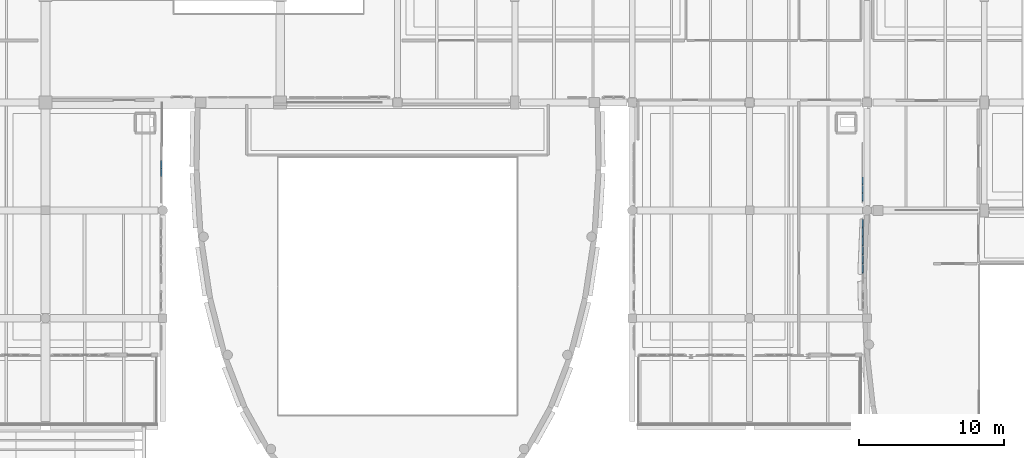
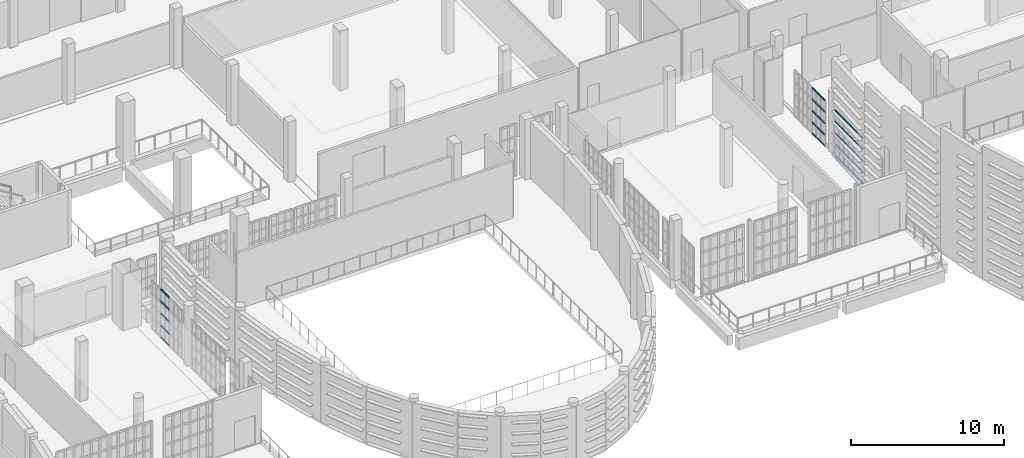
# One storey, part 62 of 104: 55 members, 3 elements without a shape of their own.
"""IFC4 building model written with IfcOpenShell, lengths in metres."""

import ifcopenshell
import ifcopenshell.guid

model = None  # the IFC model being written
_history = None  # IfcOwnerHistory: only IFC2X3 demands one
_inside = {}  # id of a spatial element -> (the spatial element, [elements in it])
_under = {}  # id of a project, library or spatial element -> (it, [spatial elements below it])
_declared = {}  # id of a project -> (the project, [libraries it declares])
_typed = {}  # id of a type object -> (the type object, [elements of that type])
_made_of = {}  # id of a material, layer set ... -> (it, [elements and type objects made of it])


def new_model(schema):
    """Start an empty IFC model of exactly this schema.

    Asked for "IFC4X3", IfcOpenShell would pick the latest addendum, in which some entities
    have other attributes; the version numbers below select the first issue.
    IFC2X3 requires an IfcOwnerHistory on every rooted entity: one is made here for all.
    """
    global model, _history
    if schema == "IFC4X3":
        model = ifcopenshell.file(schema_version=(4, 3, 0, 0))
    else:
        model = ifcopenshell.file(schema=schema)
    _inside.clear()
    _under.clear()
    _declared.clear()
    _typed.clear()
    _made_of.clear()
    _history = None
    if model.schema == "IFC2X3":
        org = make("IfcOrganization", Name="unknown")
        user = make(
            "IfcPersonAndOrganization",
            ThePerson=make("IfcPerson", FamilyName="unknown"),
            TheOrganization=org,
        )
        app = make(
            "IfcApplication",
            ApplicationDeveloper=org,
            Version="unknown",
            ApplicationFullName="unknown",
            ApplicationIdentifier="unknown",
        )
        _history = make(
            "IfcOwnerHistory",
            OwningUser=user,
            OwningApplication=app,
            ChangeAction="ADDED",
            CreationDate=0,
        )
    return model


def make(cls, **values):
    """One entity of the class cls with the attributes given. An attribute that is None is left unset."""
    return model.create_entity(
        cls, **{name: value for name, value in values.items() if value is not None}
    )


def rooted(cls, **values):
    """An entity with a GlobalId (a new one), such as an element, a storey or a relation."""
    return make(cls, GlobalId=ifcopenshell.guid.new(), OwnerHistory=_history, **values)


def si_unit(unit_type, name, prefix=None):
    """IfcSIUnit, for example si_unit("LENGTHUNIT", "METRE", prefix="MILLI")."""
    return make("IfcSIUnit", UnitType=unit_type, Prefix=prefix, Name=name)


def assignment(units):
    """IfcUnitAssignment: the units of a project."""
    return None if units is None else make("IfcUnitAssignment", Units=units)


def point(xyz):
    """IfcCartesianPoint."""
    return None if xyz is None else make("IfcCartesianPoint", Coordinates=xyz)


def direction(xyz):
    """IfcDirection."""
    return None if xyz is None else make("IfcDirection", DirectionRatios=xyz)


def frame(location, z_axis=None, x_axis=None):
    """IfcAxis2Placement3D, a coordinate frame: its origin and axes. An axis left out is left unset."""
    return make(
        "IfcAxis2Placement3D",
        Location=point(location),
        Axis=direction(z_axis),
        RefDirection=direction(x_axis),
    )


def frame_2d(location, x_axis=None):
    """IfcAxis2Placement2D, a coordinate frame in the plane: its origin and x axis."""
    return make(
        "IfcAxis2Placement2D", Location=point(location), RefDirection=direction(x_axis)
    )


def origin():
    """The frame at (0, 0, 0) with its axes left unset."""
    return frame((0.0, 0.0, 0.0))


def origin_2d():
    """The frame at (0, 0) in the plane with its x axis left unset."""
    return frame_2d((0.0, 0.0))


def place(relative_to, where):
    """IfcLocalPlacement: puts the frame where relative to a parent placement (None: the world)."""
    return make(
        "IfcLocalPlacement", PlacementRelTo=relative_to, RelativePlacement=where
    )


def context(
    kind, dimensions, precision=None, world=None, true_north=None, identifier=None
):
    """IfcGeometricRepresentationContext, for example the 3D "Model" context."""
    return make(
        "IfcGeometricRepresentationContext",
        ContextIdentifier=identifier,
        ContextType=kind,
        CoordinateSpaceDimension=dimensions,
        Precision=precision,
        WorldCoordinateSystem=world,
        TrueNorth=true_north,
    )


def subcontext(parent, identifier, kind, view, scale=None):
    """IfcGeometricRepresentationSubContext, for example "Body" below "Model"."""
    return make(
        "IfcGeometricRepresentationSubContext",
        ContextIdentifier=identifier,
        ContextType=kind,
        ParentContext=parent,
        TargetScale=scale,
        TargetView=view,
    )


def project(units=None, contexts=None):
    """IfcProject with its units and contexts."""
    return rooted(
        "IfcProject",
        Name="project",
        RepresentationContexts=contexts,
        UnitsInContext=assignment(units),
    )


def spatial(cls, under=None, at=None, **own):
    """A site, building, storey or space (cls), placed at a placement, below another one or the project."""
    s = rooted(cls, ObjectPlacement=at, **own)
    if under is not None:
        _under.setdefault(under.id(), (under, []))[1].append(s)
    return s


def profile(cls, at=None, kind="AREA", **sizes):
    """A parametric profile (cls). Its sizes go by their IFC names, for example OverallWidth=200.0."""
    return make(cls, ProfileType=kind, Position=at, **sizes)


def hollow_rectangle(**sizes):
    """IfcRectangleHollowProfileDef."""
    return profile("IfcRectangleHollowProfileDef", **sizes)


def extrude(swept, where, along, depth):
    """IfcExtrudedAreaSolid: the profile swept, set in the frame where, extruded along a direction by depth."""
    return make(
        "IfcExtrudedAreaSolid",
        SweptArea=swept,
        Position=where,
        ExtrudedDirection=direction(along),
        Depth=depth,
    )


def shape(context_of_items, identifier, shape_type, items):
    """IfcShapeRepresentation: the items that make up one representation, for example the "Body"."""
    return make(
        "IfcShapeRepresentation",
        ContextOfItems=context_of_items,
        RepresentationIdentifier=identifier,
        RepresentationType=shape_type,
        Items=items,
    )


def material(Name=None, Category=None):
    """IfcMaterial."""
    return make("IfcMaterial", Name=Name, Category=Category)


def material_profile(
    of_material, cross_section, Name=None, Category=None, Priority=None
):
    """IfcMaterialProfile: a cross section and its material."""
    return make(
        "IfcMaterialProfile",
        Name=Name,
        Material=of_material,
        Profile=cross_section,
        Priority=Priority,
        Category=Category,
    )


def profile_set(profiles, Name=None, composite=None):
    """IfcMaterialProfileSet."""
    return make(
        "IfcMaterialProfileSet",
        Name=Name,
        MaterialProfiles=profiles,
        CompositeProfile=composite,
    )


def made_of(thing, what):
    """Note that an element or type object is made of a material, layer set ...; save() writes the relation."""
    if what is not None:
        _made_of.setdefault(what.id(), (what, []))[1].append(thing)
    return thing


def type_object(cls, material=None, **own):
    """A type object (cls), such as IfcWallType, which elements share."""
    return made_of(rooted(cls, **own), material)


def element(
    cls,
    number,
    at=None,
    inside=None,
    cuts=None,
    type_object=None,
    material=None,
    context=None,
    identifier="Body",
    shape_type=None,
    held_by="IfcProductDefinitionShape",
    body=None,
    shapes=None,
    **own,
):
    """One element of the class cls, such as IfcWall. Its Tag is "e" and its number.

    at: its placement. inside: the storey or other place that contains it. cuts: it is an
    opening in that element (IfcRelVoidsElement). A single representation is given by context,
    identifier, shape_type and body (its items); several are given by shapes. held_by: the class
    of the entity that holds the representations. save() writes the other relations.
    """
    e = rooted(cls, Tag="e%d" % number, ObjectPlacement=at, **own)
    if body is not None:
        shapes = [shape(context, identifier, shape_type, body)]
    if shapes is not None:
        e.Representation = make(held_by, Representations=shapes)
    if inside is not None:
        _inside.setdefault(inside.id(), (inside, []))[1].append(e)
    if cuts is not None:
        rooted(
            "IfcRelVoidsElement", RelatingBuildingElement=cuts, RelatedOpeningElement=e
        )
    if type_object is not None:
        _typed.setdefault(type_object.id(), (type_object, []))[1].append(e)
    return made_of(e, material)


def aggregate(whole, parts):
    """IfcRelAggregates: a whole, such as a stair, and the parts it consists of."""
    return rooted("IfcRelAggregates", RelatingObject=whole, RelatedObjects=parts)


def save(model, path):
    """Write the relations noted so far, then the file.

    IfcRelAggregates (storeys below a building ...), IfcRelContainedInSpatialStructure (elements
    in a storey), IfcRelDefinesByType, IfcRelAssociatesMaterial and IfcRelDeclares: one each for
    every whole, place, type object, material and project.
    """
    for whole, parts in _under.values():
        aggregate(whole, parts)
    for where, things in _inside.values():
        rooted(
            "IfcRelContainedInSpatialStructure",
            RelatedElements=things,
            RelatingStructure=where,
        )
    for kind, things in _typed.values():
        rooted("IfcRelDefinesByType", RelatedObjects=things, RelatingType=kind)
    for what, things in _made_of.values():
        rooted("IfcRelAssociatesMaterial", RelatedObjects=things, RelatingMaterial=what)
    for by, libraries in _declared.values():
        rooted("IfcRelDeclares", RelatingContext=by, RelatedDefinitions=libraries)
    model.write(path)


model = new_model("IFC4")

# Units and contexts
model_context = context("Model", 3, precision=1e-05, world=origin(), true_north=direction((0.0, 1.0)))
body_context = subcontext(model_context, "Body", "Model", "MODEL_VIEW")
ifc_project = project(units=[si_unit("LENGTHUNIT", "METRE"), si_unit("AREAUNIT", "SQUARE_METRE"), si_unit("VOLUMEUNIT", "CUBIC_METRE"), si_unit("PLANEANGLEUNIT", "RADIAN"), si_unit("MASSUNIT", "GRAM", prefix="KILO")], contexts=[model_context])

# Site, building, storey
site_placement = place(None, origin())
site = spatial("IfcSite", under=ifc_project, at=site_placement, CompositionType="ELEMENT")
building_placement = place(site_placement, origin())
building = spatial("IfcBuilding", under=site, at=building_placement, Name="Kaelora Sail Theatre", CompositionType="ELEMENT")
storey_placement = place(building_placement, frame((0.0, 0.0, 5.39990234375)))
storey = spatial("IfcBuildingStorey", under=building, at=storey_placement, Name="L01", CompositionType="ELEMENT", Elevation=5.39990234375)

# Curtain wall, members
ifc_material_1 = material(Name="Anodised aluminium and solar-control low-E IGU", Category="aluminium")
curtain_wall_type_1 = type_object("IfcCurtainWallType", Name="ARC-CW-CW-FOY2", PredefinedType="NOTDEFINED", material=ifc_material_1)
curtain_wall_1_placement = place(storey_placement, origin())
curtain_wall_1 = element("IfcCurtainWall", 1, at=curtain_wall_1_placement, inside=storey, type_object=curtain_wall_type_1, Name="West Interstitial Foyer East Glazed Return L01-03", PredefinedType="NOTDEFINED")
ifc_material_2 = material(Name="Anodised aluminium 6063-T6", Category="aluminium")
ifc_material_profile = material_profile(ifc_material_2, hollow_rectangle(XDim=0.070068359375, YDim=0.139892578125, WallThickness=0.00390625, InnerFilletRadius=0.00390625, OuterFilletRadius=0.008056640625, at=origin_2d()), Name="ALU-TRAN 70x140x4")
ifc_profile_set = profile_set([ifc_material_profile], Name="Anodised aluminium 6063-T6")
member_type = type_object("IfcMemberType", Name="ARC-MEM-TR-140", PredefinedType="USERDEFINED", material=ifc_profile_set)
member_1_placement = place(storey_placement, frame((74.280029296875, 55.92431640625, 0.03515625), z_axis=(0.0, 1.0, 0.0), x_axis=(-1.0, 0.0, 0.0)))
member_1 = element("IfcMember", 2, at=member_1_placement, type_object=member_type, Name="CW-FOY2 transom 4.1", ObjectType="TRANSOM", PredefinedType="USERDEFINED", context=body_context, shape_type="SweptSolid", body=[
    extrude(hollow_rectangle(XDim=0.070068359375, YDim=0.139892578125, WallThickness=0.00390625, InnerFilletRadius=0.00390625, OuterFilletRadius=0.008056640625, at=origin_2d()), origin(), (0.0, 0.0, 1.0), 0.516357421875),
])
member_2_placement = place(storey_placement, frame((74.280029296875, 55.92431640625, 0.971923828125), z_axis=(0.0, 1.0, 0.0), x_axis=(-1.0, 0.0, 0.0)))
member_2 = element("IfcMember", 3, at=member_2_placement, type_object=member_type, Name="CW-FOY2 transom 4.2", ObjectType="TRANSOM", PredefinedType="USERDEFINED", context=body_context, shape_type="SweptSolid", body=[
    extrude(hollow_rectangle(XDim=0.070068359375, YDim=0.139892578125, WallThickness=0.00390625, InnerFilletRadius=0.00390625, OuterFilletRadius=0.008056640625, at=origin_2d()), origin(), (0.0, 0.0, 1.0), 0.516357421875),
])
member_3_placement = place(storey_placement, frame((74.280029296875, 55.92431640625, 1.943603515625), z_axis=(0.0, 1.0, 0.0), x_axis=(-1.0, 0.0, 0.0)))
member_3 = element("IfcMember", 4, at=member_3_placement, type_object=member_type, Name="CW-FOY2 transom 4.3", ObjectType="TRANSOM", PredefinedType="USERDEFINED", context=body_context, shape_type="SweptSolid", body=[
    extrude(hollow_rectangle(XDim=0.070068359375, YDim=0.139892578125, WallThickness=0.00390625, InnerFilletRadius=0.00390625, OuterFilletRadius=0.008056640625, at=origin_2d()), origin(), (0.0, 0.0, 1.0), 0.516357421875),
])
member_4_placement = place(storey_placement, frame((74.280029296875, 55.92431640625, 2.915283203125), z_axis=(0.0, 1.0, 0.0), x_axis=(-1.0, 0.0, 0.0)))
member_4 = element("IfcMember", 5, at=member_4_placement, type_object=member_type, Name="CW-FOY2 transom 4.4", ObjectType="TRANSOM", PredefinedType="USERDEFINED", context=body_context, shape_type="SweptSolid", body=[
    extrude(hollow_rectangle(XDim=0.070068359375, YDim=0.139892578125, WallThickness=0.00390625, InnerFilletRadius=0.00390625, OuterFilletRadius=0.008056640625, at=origin_2d()), origin(), (0.0, 0.0, 1.0), 0.516357421875),
])
member_5_placement = place(storey_placement, frame((74.280029296875, 55.92431640625, 3.85205078125), z_axis=(0.0, 1.0, 0.0), x_axis=(-1.0, 0.0, 0.0)))
member_5 = element("IfcMember", 6, at=member_5_placement, type_object=member_type, Name="CW-FOY2 transom 4.5", ObjectType="TRANSOM", PredefinedType="USERDEFINED", context=body_context, shape_type="SweptSolid", body=[
    extrude(hollow_rectangle(XDim=0.070068359375, YDim=0.139892578125, WallThickness=0.00390625, InnerFilletRadius=0.00390625, OuterFilletRadius=0.008056640625, at=origin_2d()), origin(), (0.0, 0.0, 1.0), 0.516357421875),
])
member_6_placement = place(storey_placement, frame((74.280029296875, 56.500732421875, 0.03515625), z_axis=(0.0, 1.0, 0.0), x_axis=(-1.0, 0.0, 0.0)))
member_6 = element("IfcMember", 7, at=member_6_placement, type_object=member_type, Name="CW-FOY2 transom 5.1", ObjectType="TRANSOM", PredefinedType="USERDEFINED", context=body_context, shape_type="SweptSolid", body=[
    extrude(hollow_rectangle(XDim=0.070068359375, YDim=0.139892578125, WallThickness=0.00390625, InnerFilletRadius=0.00390625, OuterFilletRadius=0.008056640625, at=origin_2d()), origin(), (0.0, 0.0, 1.0), 0.516357421875),
])
member_7_placement = place(storey_placement, frame((74.280029296875, 56.500732421875, 0.971923828125), z_axis=(0.0, 1.0, 0.0), x_axis=(-1.0, 0.0, 0.0)))
member_7 = element("IfcMember", 8, at=member_7_placement, type_object=member_type, Name="CW-FOY2 transom 5.2", ObjectType="TRANSOM", PredefinedType="USERDEFINED", context=body_context, shape_type="SweptSolid", body=[
    extrude(hollow_rectangle(XDim=0.070068359375, YDim=0.139892578125, WallThickness=0.00390625, InnerFilletRadius=0.00390625, OuterFilletRadius=0.008056640625, at=origin_2d()), origin(), (0.0, 0.0, 1.0), 0.516357421875),
])
member_8_placement = place(storey_placement, frame((74.280029296875, 56.500732421875, 1.943603515625), z_axis=(0.0, 1.0, 0.0), x_axis=(-1.0, 0.0, 0.0)))
member_8 = element("IfcMember", 9, at=member_8_placement, type_object=member_type, Name="CW-FOY2 transom 5.3", ObjectType="TRANSOM", PredefinedType="USERDEFINED", context=body_context, shape_type="SweptSolid", body=[
    extrude(hollow_rectangle(XDim=0.070068359375, YDim=0.139892578125, WallThickness=0.00390625, InnerFilletRadius=0.00390625, OuterFilletRadius=0.008056640625, at=origin_2d()), origin(), (0.0, 0.0, 1.0), 0.516357421875),
])
member_9_placement = place(storey_placement, frame((74.280029296875, 56.500732421875, 2.915283203125), z_axis=(0.0, 1.0, 0.0), x_axis=(-1.0, 0.0, 0.0)))
member_9 = element("IfcMember", 10, at=member_9_placement, type_object=member_type, Name="CW-FOY2 transom 5.4", ObjectType="TRANSOM", PredefinedType="USERDEFINED", context=body_context, shape_type="SweptSolid", body=[
    extrude(hollow_rectangle(XDim=0.070068359375, YDim=0.139892578125, WallThickness=0.00390625, InnerFilletRadius=0.00390625, OuterFilletRadius=0.008056640625, at=origin_2d()), origin(), (0.0, 0.0, 1.0), 0.516357421875),
])
member_10_placement = place(storey_placement, frame((74.280029296875, 56.500732421875, 3.85205078125), z_axis=(0.0, 1.0, 0.0), x_axis=(-1.0, 0.0, 0.0)))
member_10 = element("IfcMember", 11, at=member_10_placement, type_object=member_type, Name="CW-FOY2 transom 5.5", ObjectType="TRANSOM", PredefinedType="USERDEFINED", context=body_context, shape_type="SweptSolid", body=[
    extrude(hollow_rectangle(XDim=0.070068359375, YDim=0.139892578125, WallThickness=0.00390625, InnerFilletRadius=0.00390625, OuterFilletRadius=0.008056640625, at=origin_2d()), origin(), (0.0, 0.0, 1.0), 0.516357421875),
])
aggregate(curtain_wall_1, [member_1, member_2, member_3, member_4, member_5, member_6, member_7, member_8, member_9, member_10])

ifc_material_3 = material(Name="Anodised aluminium and solar-control low-E IGU", Category="aluminium")
curtain_wall_type_2 = type_object("IfcCurtainWallType", Name="ARC-CW-CW-PROW", PredefinedType="NOTDEFINED", material=ifc_material_3)
curtain_wall_2_placement = place(storey_placement, origin())
curtain_wall_2 = element("IfcCurtainWall", 12, at=curtain_wall_2_placement, inside=storey, type_object=curtain_wall_type_2, Name="East Interstitial Foyer East Glazed Return L01-02", PredefinedType="NOTDEFINED")
member_11_placement = place(storey_placement, frame((122.719970703125, 49.2578125, 0.03515625), z_axis=(0.0, 1.0, 0.0), x_axis=(-1.0, 0.0, 0.0)))
member_11 = element("IfcMember", 13, at=member_11_placement, type_object=member_type, Name="CW-PROW transom 2.1", ObjectType="TRANSOM", PredefinedType="USERDEFINED", context=body_context, shape_type="SweptSolid", body=[
    extrude(hollow_rectangle(XDim=0.070068359375, YDim=0.139892578125, WallThickness=0.00390625, InnerFilletRadius=0.00390625, OuterFilletRadius=0.008056640625, at=origin_2d()), origin(), (0.0, 0.0, 1.0), 0.56787109375),
])
member_12_placement = place(storey_placement, frame((122.719970703125, 49.2578125, 0.921875), z_axis=(0.0, 1.0, 0.0), x_axis=(-1.0, 0.0, 0.0)))
member_12 = element("IfcMember", 14, at=member_12_placement, type_object=member_type, Name="CW-PROW transom 2.2", ObjectType="TRANSOM", PredefinedType="USERDEFINED", context=body_context, shape_type="SweptSolid", body=[
    extrude(hollow_rectangle(XDim=0.070068359375, YDim=0.139892578125, WallThickness=0.00390625, InnerFilletRadius=0.00390625, OuterFilletRadius=0.008056640625, at=origin_2d()), origin(), (0.0, 0.0, 1.0), 0.56787109375),
])
member_13_placement = place(storey_placement, frame((122.719970703125, 49.2578125, 1.843505859375), z_axis=(0.0, 1.0, 0.0), x_axis=(-1.0, 0.0, 0.0)))
member_13 = element("IfcMember", 15, at=member_13_placement, type_object=member_type, Name="CW-PROW transom 2.3", ObjectType="TRANSOM", PredefinedType="USERDEFINED", context=body_context, shape_type="SweptSolid", body=[
    extrude(hollow_rectangle(XDim=0.070068359375, YDim=0.139892578125, WallThickness=0.00390625, InnerFilletRadius=0.00390625, OuterFilletRadius=0.008056640625, at=origin_2d()), origin(), (0.0, 0.0, 1.0), 0.56787109375),
])
member_14_placement = place(storey_placement, frame((122.719970703125, 49.2578125, 2.765380859375), z_axis=(0.0, 1.0, 0.0), x_axis=(-1.0, 0.0, 0.0)))
member_14 = element("IfcMember", 16, at=member_14_placement, type_object=member_type, Name="CW-PROW transom 2.4", ObjectType="TRANSOM", PredefinedType="USERDEFINED", context=body_context, shape_type="SweptSolid", body=[
    extrude(hollow_rectangle(XDim=0.070068359375, YDim=0.139892578125, WallThickness=0.00390625, InnerFilletRadius=0.00390625, OuterFilletRadius=0.008056640625, at=origin_2d()), origin(), (0.0, 0.0, 1.0), 0.56787109375),
])
member_15_placement = place(storey_placement, frame((122.719970703125, 49.2578125, 3.652099609375), z_axis=(0.0, 1.0, 0.0), x_axis=(-1.0, 0.0, 0.0)))
member_15 = element("IfcMember", 17, at=member_15_placement, type_object=member_type, Name="CW-PROW transom 2.5", ObjectType="TRANSOM", PredefinedType="USERDEFINED", context=body_context, shape_type="SweptSolid", body=[
    extrude(hollow_rectangle(XDim=0.070068359375, YDim=0.139892578125, WallThickness=0.00390625, InnerFilletRadius=0.00390625, OuterFilletRadius=0.008056640625, at=origin_2d()), origin(), (0.0, 0.0, 1.0), 0.56787109375),
])
member_16_placement = place(storey_placement, frame((122.719970703125, 49.8857421875, 0.03515625), z_axis=(0.0, 1.0, 0.0), x_axis=(-1.0, 0.0, 0.0)))
member_16 = element("IfcMember", 18, at=member_16_placement, type_object=member_type, Name="CW-PROW transom 3.1", ObjectType="TRANSOM", PredefinedType="USERDEFINED", context=body_context, shape_type="SweptSolid", body=[
    extrude(hollow_rectangle(XDim=0.070068359375, YDim=0.139892578125, WallThickness=0.00390625, InnerFilletRadius=0.00390625, OuterFilletRadius=0.008056640625, at=origin_2d()), origin(), (0.0, 0.0, 1.0), 0.56787109375),
])
member_17_placement = place(storey_placement, frame((122.719970703125, 49.8857421875, 0.921875), z_axis=(0.0, 1.0, 0.0), x_axis=(-1.0, 0.0, 0.0)))
member_17 = element("IfcMember", 19, at=member_17_placement, type_object=member_type, Name="CW-PROW transom 3.2", ObjectType="TRANSOM", PredefinedType="USERDEFINED", context=body_context, shape_type="SweptSolid", body=[
    extrude(hollow_rectangle(XDim=0.070068359375, YDim=0.139892578125, WallThickness=0.00390625, InnerFilletRadius=0.00390625, OuterFilletRadius=0.008056640625, at=origin_2d()), origin(), (0.0, 0.0, 1.0), 0.56787109375),
])
member_18_placement = place(storey_placement, frame((122.719970703125, 49.8857421875, 1.843505859375), z_axis=(0.0, 1.0, 0.0), x_axis=(-1.0, 0.0, 0.0)))
member_18 = element("IfcMember", 20, at=member_18_placement, type_object=member_type, Name="CW-PROW transom 3.3", ObjectType="TRANSOM", PredefinedType="USERDEFINED", context=body_context, shape_type="SweptSolid", body=[
    extrude(hollow_rectangle(XDim=0.070068359375, YDim=0.139892578125, WallThickness=0.00390625, InnerFilletRadius=0.00390625, OuterFilletRadius=0.008056640625, at=origin_2d()), origin(), (0.0, 0.0, 1.0), 0.56787109375),
])
member_19_placement = place(storey_placement, frame((122.719970703125, 49.8857421875, 2.765380859375), z_axis=(0.0, 1.0, 0.0), x_axis=(-1.0, 0.0, 0.0)))
member_19 = element("IfcMember", 21, at=member_19_placement, type_object=member_type, Name="CW-PROW transom 3.4", ObjectType="TRANSOM", PredefinedType="USERDEFINED", context=body_context, shape_type="SweptSolid", body=[
    extrude(hollow_rectangle(XDim=0.070068359375, YDim=0.139892578125, WallThickness=0.00390625, InnerFilletRadius=0.00390625, OuterFilletRadius=0.008056640625, at=origin_2d()), origin(), (0.0, 0.0, 1.0), 0.56787109375),
])
member_20_placement = place(storey_placement, frame((122.719970703125, 49.8857421875, 3.652099609375), z_axis=(0.0, 1.0, 0.0), x_axis=(-1.0, 0.0, 0.0)))
member_20 = element("IfcMember", 22, at=member_20_placement, type_object=member_type, Name="CW-PROW transom 3.5", ObjectType="TRANSOM", PredefinedType="USERDEFINED", context=body_context, shape_type="SweptSolid", body=[
    extrude(hollow_rectangle(XDim=0.070068359375, YDim=0.139892578125, WallThickness=0.00390625, InnerFilletRadius=0.00390625, OuterFilletRadius=0.008056640625, at=origin_2d()), origin(), (0.0, 0.0, 1.0), 0.56787109375),
])
member_21_placement = place(storey_placement, frame((122.719970703125, 50.513671875, 0.03515625), z_axis=(0.0, 1.0, 0.0), x_axis=(-1.0, 0.0, 0.0)))
member_21 = element("IfcMember", 23, at=member_21_placement, type_object=member_type, Name="CW-PROW transom 4.1", ObjectType="TRANSOM", PredefinedType="USERDEFINED", context=body_context, shape_type="SweptSolid", body=[
    extrude(hollow_rectangle(XDim=0.070068359375, YDim=0.139892578125, WallThickness=0.00390625, InnerFilletRadius=0.00390625, OuterFilletRadius=0.008056640625, at=origin_2d()), origin(), (0.0, 0.0, 1.0), 0.56787109375),
])
member_22_placement = place(storey_placement, frame((122.719970703125, 50.513671875, 0.921875), z_axis=(0.0, 1.0, 0.0), x_axis=(-1.0, 0.0, 0.0)))
member_22 = element("IfcMember", 24, at=member_22_placement, type_object=member_type, Name="CW-PROW transom 4.2", ObjectType="TRANSOM", PredefinedType="USERDEFINED", context=body_context, shape_type="SweptSolid", body=[
    extrude(hollow_rectangle(XDim=0.070068359375, YDim=0.139892578125, WallThickness=0.00390625, InnerFilletRadius=0.00390625, OuterFilletRadius=0.008056640625, at=origin_2d()), origin(), (0.0, 0.0, 1.0), 0.56787109375),
])
member_23_placement = place(storey_placement, frame((122.719970703125, 50.513671875, 1.843505859375), z_axis=(0.0, 1.0, 0.0), x_axis=(-1.0, 0.0, 0.0)))
member_23 = element("IfcMember", 25, at=member_23_placement, type_object=member_type, Name="CW-PROW transom 4.3", ObjectType="TRANSOM", PredefinedType="USERDEFINED", context=body_context, shape_type="SweptSolid", body=[
    extrude(hollow_rectangle(XDim=0.070068359375, YDim=0.139892578125, WallThickness=0.00390625, InnerFilletRadius=0.00390625, OuterFilletRadius=0.008056640625, at=origin_2d()), origin(), (0.0, 0.0, 1.0), 0.56787109375),
])
member_24_placement = place(storey_placement, frame((122.719970703125, 50.513671875, 2.765380859375), z_axis=(0.0, 1.0, 0.0), x_axis=(-1.0, 0.0, 0.0)))
member_24 = element("IfcMember", 26, at=member_24_placement, type_object=member_type, Name="CW-PROW transom 4.4", ObjectType="TRANSOM", PredefinedType="USERDEFINED", context=body_context, shape_type="SweptSolid", body=[
    extrude(hollow_rectangle(XDim=0.070068359375, YDim=0.139892578125, WallThickness=0.00390625, InnerFilletRadius=0.00390625, OuterFilletRadius=0.008056640625, at=origin_2d()), origin(), (0.0, 0.0, 1.0), 0.56787109375),
])
member_25_placement = place(storey_placement, frame((122.719970703125, 50.513671875, 3.652099609375), z_axis=(0.0, 1.0, 0.0), x_axis=(-1.0, 0.0, 0.0)))
member_25 = element("IfcMember", 27, at=member_25_placement, type_object=member_type, Name="CW-PROW transom 4.5", ObjectType="TRANSOM", PredefinedType="USERDEFINED", context=body_context, shape_type="SweptSolid", body=[
    extrude(hollow_rectangle(XDim=0.070068359375, YDim=0.139892578125, WallThickness=0.00390625, InnerFilletRadius=0.00390625, OuterFilletRadius=0.008056640625, at=origin_2d()), origin(), (0.0, 0.0, 1.0), 0.56787109375),
])
member_26_placement = place(storey_placement, frame((122.719970703125, 51.141357421875, 0.03515625), z_axis=(0.0, 1.0, 0.0), x_axis=(-1.0, 0.0, 0.0)))
member_26 = element("IfcMember", 28, at=member_26_placement, type_object=member_type, Name="CW-PROW transom 5.1", ObjectType="TRANSOM", PredefinedType="USERDEFINED", context=body_context, shape_type="SweptSolid", body=[
    extrude(hollow_rectangle(XDim=0.070068359375, YDim=0.139892578125, WallThickness=0.00390625, InnerFilletRadius=0.00390625, OuterFilletRadius=0.008056640625, at=origin_2d()), origin(), (0.0, 0.0, 1.0), 0.56787109375),
])
member_27_placement = place(storey_placement, frame((122.719970703125, 51.141357421875, 0.921875), z_axis=(0.0, 1.0, 0.0), x_axis=(-1.0, 0.0, 0.0)))
member_27 = element("IfcMember", 29, at=member_27_placement, type_object=member_type, Name="CW-PROW transom 5.2", ObjectType="TRANSOM", PredefinedType="USERDEFINED", context=body_context, shape_type="SweptSolid", body=[
    extrude(hollow_rectangle(XDim=0.070068359375, YDim=0.139892578125, WallThickness=0.00390625, InnerFilletRadius=0.00390625, OuterFilletRadius=0.008056640625, at=origin_2d()), origin(), (0.0, 0.0, 1.0), 0.56787109375),
])
member_28_placement = place(storey_placement, frame((122.719970703125, 51.141357421875, 1.843505859375), z_axis=(0.0, 1.0, 0.0), x_axis=(-1.0, 0.0, 0.0)))
member_28 = element("IfcMember", 30, at=member_28_placement, type_object=member_type, Name="CW-PROW transom 5.3", ObjectType="TRANSOM", PredefinedType="USERDEFINED", context=body_context, shape_type="SweptSolid", body=[
    extrude(hollow_rectangle(XDim=0.070068359375, YDim=0.139892578125, WallThickness=0.00390625, InnerFilletRadius=0.00390625, OuterFilletRadius=0.008056640625, at=origin_2d()), origin(), (0.0, 0.0, 1.0), 0.56787109375),
])
member_29_placement = place(storey_placement, frame((122.719970703125, 51.141357421875, 2.765380859375), z_axis=(0.0, 1.0, 0.0), x_axis=(-1.0, 0.0, 0.0)))
member_29 = element("IfcMember", 31, at=member_29_placement, type_object=member_type, Name="CW-PROW transom 5.4", ObjectType="TRANSOM", PredefinedType="USERDEFINED", context=body_context, shape_type="SweptSolid", body=[
    extrude(hollow_rectangle(XDim=0.070068359375, YDim=0.139892578125, WallThickness=0.00390625, InnerFilletRadius=0.00390625, OuterFilletRadius=0.008056640625, at=origin_2d()), origin(), (0.0, 0.0, 1.0), 0.56787109375),
])
member_30_placement = place(storey_placement, frame((122.719970703125, 51.141357421875, 3.652099609375), z_axis=(0.0, 1.0, 0.0), x_axis=(-1.0, 0.0, 0.0)))
member_30 = element("IfcMember", 32, at=member_30_placement, type_object=member_type, Name="CW-PROW transom 5.5", ObjectType="TRANSOM", PredefinedType="USERDEFINED", context=body_context, shape_type="SweptSolid", body=[
    extrude(hollow_rectangle(XDim=0.070068359375, YDim=0.139892578125, WallThickness=0.00390625, InnerFilletRadius=0.00390625, OuterFilletRadius=0.008056640625, at=origin_2d()), origin(), (0.0, 0.0, 1.0), 0.56787109375),
])
member_31_placement = place(storey_placement, frame((122.719970703125, 51.769287109375, 0.03515625), z_axis=(0.0, 1.0, 0.0), x_axis=(-1.0, 0.0, 0.0)))
member_31 = element("IfcMember", 33, at=member_31_placement, type_object=member_type, Name="CW-PROW transom 6.1", ObjectType="TRANSOM", PredefinedType="USERDEFINED", context=body_context, shape_type="SweptSolid", body=[
    extrude(hollow_rectangle(XDim=0.070068359375, YDim=0.139892578125, WallThickness=0.00390625, InnerFilletRadius=0.00390625, OuterFilletRadius=0.008056640625, at=origin_2d()), origin(), (0.0, 0.0, 1.0), 0.56787109375),
])
member_32_placement = place(storey_placement, frame((122.719970703125, 51.769287109375, 0.921875), z_axis=(0.0, 1.0, 0.0), x_axis=(-1.0, 0.0, 0.0)))
member_32 = element("IfcMember", 34, at=member_32_placement, type_object=member_type, Name="CW-PROW transom 6.2", ObjectType="TRANSOM", PredefinedType="USERDEFINED", context=body_context, shape_type="SweptSolid", body=[
    extrude(hollow_rectangle(XDim=0.070068359375, YDim=0.139892578125, WallThickness=0.00390625, InnerFilletRadius=0.00390625, OuterFilletRadius=0.008056640625, at=origin_2d()), origin(), (0.0, 0.0, 1.0), 0.56787109375),
])
member_33_placement = place(storey_placement, frame((122.719970703125, 51.769287109375, 1.843505859375), z_axis=(0.0, 1.0, 0.0), x_axis=(-1.0, 0.0, 0.0)))
member_33 = element("IfcMember", 35, at=member_33_placement, type_object=member_type, Name="CW-PROW transom 6.3", ObjectType="TRANSOM", PredefinedType="USERDEFINED", context=body_context, shape_type="SweptSolid", body=[
    extrude(hollow_rectangle(XDim=0.070068359375, YDim=0.139892578125, WallThickness=0.00390625, InnerFilletRadius=0.00390625, OuterFilletRadius=0.008056640625, at=origin_2d()), origin(), (0.0, 0.0, 1.0), 0.56787109375),
])
member_34_placement = place(storey_placement, frame((122.719970703125, 51.769287109375, 2.765380859375), z_axis=(0.0, 1.0, 0.0), x_axis=(-1.0, 0.0, 0.0)))
member_34 = element("IfcMember", 36, at=member_34_placement, type_object=member_type, Name="CW-PROW transom 6.4", ObjectType="TRANSOM", PredefinedType="USERDEFINED", context=body_context, shape_type="SweptSolid", body=[
    extrude(hollow_rectangle(XDim=0.070068359375, YDim=0.139892578125, WallThickness=0.00390625, InnerFilletRadius=0.00390625, OuterFilletRadius=0.008056640625, at=origin_2d()), origin(), (0.0, 0.0, 1.0), 0.56787109375),
])
member_35_placement = place(storey_placement, frame((122.719970703125, 51.769287109375, 3.652099609375), z_axis=(0.0, 1.0, 0.0), x_axis=(-1.0, 0.0, 0.0)))
member_35 = element("IfcMember", 37, at=member_35_placement, type_object=member_type, Name="CW-PROW transom 6.5", ObjectType="TRANSOM", PredefinedType="USERDEFINED", context=body_context, shape_type="SweptSolid", body=[
    extrude(hollow_rectangle(XDim=0.070068359375, YDim=0.139892578125, WallThickness=0.00390625, InnerFilletRadius=0.00390625, OuterFilletRadius=0.008056640625, at=origin_2d()), origin(), (0.0, 0.0, 1.0), 0.56787109375),
])
member_36_placement = place(storey_placement, frame((122.719970703125, 52.397216796875, 0.03515625), z_axis=(0.0, 1.0, 0.0), x_axis=(-1.0, 0.0, 0.0)))
member_36 = element("IfcMember", 38, at=member_36_placement, type_object=member_type, Name="CW-PROW transom 7.1", ObjectType="TRANSOM", PredefinedType="USERDEFINED", context=body_context, shape_type="SweptSolid", body=[
    extrude(hollow_rectangle(XDim=0.070068359375, YDim=0.139892578125, WallThickness=0.00390625, InnerFilletRadius=0.00390625, OuterFilletRadius=0.008056640625, at=origin_2d()), origin(), (0.0, 0.0, 1.0), 0.537841796875),
])
member_37_placement = place(storey_placement, frame((122.719970703125, 52.397216796875, 0.921875), z_axis=(0.0, 1.0, 0.0), x_axis=(-1.0, 0.0, 0.0)))
member_37 = element("IfcMember", 39, at=member_37_placement, type_object=member_type, Name="CW-PROW transom 7.2", ObjectType="TRANSOM", PredefinedType="USERDEFINED", context=body_context, shape_type="SweptSolid", body=[
    extrude(hollow_rectangle(XDim=0.070068359375, YDim=0.139892578125, WallThickness=0.00390625, InnerFilletRadius=0.00390625, OuterFilletRadius=0.008056640625, at=origin_2d()), origin(), (0.0, 0.0, 1.0), 0.537841796875),
])
member_38_placement = place(storey_placement, frame((122.719970703125, 52.397216796875, 1.843505859375), z_axis=(0.0, 1.0, 0.0), x_axis=(-1.0, 0.0, 0.0)))
member_38 = element("IfcMember", 40, at=member_38_placement, type_object=member_type, Name="CW-PROW transom 7.3", ObjectType="TRANSOM", PredefinedType="USERDEFINED", context=body_context, shape_type="SweptSolid", body=[
    extrude(hollow_rectangle(XDim=0.070068359375, YDim=0.139892578125, WallThickness=0.00390625, InnerFilletRadius=0.00390625, OuterFilletRadius=0.008056640625, at=origin_2d()), origin(), (0.0, 0.0, 1.0), 0.537841796875),
])
member_39_placement = place(storey_placement, frame((122.719970703125, 52.397216796875, 2.765380859375), z_axis=(0.0, 1.0, 0.0), x_axis=(-1.0, 0.0, 0.0)))
member_39 = element("IfcMember", 41, at=member_39_placement, type_object=member_type, Name="CW-PROW transom 7.4", ObjectType="TRANSOM", PredefinedType="USERDEFINED", context=body_context, shape_type="SweptSolid", body=[
    extrude(hollow_rectangle(XDim=0.070068359375, YDim=0.139892578125, WallThickness=0.00390625, InnerFilletRadius=0.00390625, OuterFilletRadius=0.008056640625, at=origin_2d()), origin(), (0.0, 0.0, 1.0), 0.537841796875),
])
member_40_placement = place(storey_placement, frame((122.719970703125, 52.397216796875, 3.652099609375), z_axis=(0.0, 1.0, 0.0), x_axis=(-1.0, 0.0, 0.0)))
member_40 = element("IfcMember", 42, at=member_40_placement, type_object=member_type, Name="CW-PROW transom 7.5", ObjectType="TRANSOM", PredefinedType="USERDEFINED", context=body_context, shape_type="SweptSolid", body=[
    extrude(hollow_rectangle(XDim=0.070068359375, YDim=0.139892578125, WallThickness=0.00390625, InnerFilletRadius=0.00390625, OuterFilletRadius=0.008056640625, at=origin_2d()), origin(), (0.0, 0.0, 1.0), 0.537841796875),
])
aggregate(curtain_wall_2, [member_11, member_12, member_13, member_14, member_15, member_16, member_17, member_18, member_19, member_20, member_21, member_22, member_23, member_24, member_25, member_26, member_27, member_28, member_29, member_30, member_31, member_32, member_33, member_34, member_35, member_36, member_37, member_38, member_39, member_40])

curtain_wall_3_placement = place(storey_placement, origin())
curtain_wall_3 = element("IfcCurtainWall", 43, at=curtain_wall_3_placement, inside=storey, type_object=curtain_wall_type_2, Name="East Interstitial Foyer East Glazed Return L01-03", PredefinedType="NOTDEFINED")
member_41_placement = place(storey_placement, frame((122.719970703125, 54.22509765625, 0.03515625), z_axis=(0.0, 1.0, 0.0), x_axis=(-1.0, 0.0, 0.0)))
member_41 = element("IfcMember", 44, at=member_41_placement, type_object=member_type, Name="CW-PROW transom 1.1", ObjectType="TRANSOM", PredefinedType="USERDEFINED", context=body_context, shape_type="SweptSolid", body=[
    extrude(hollow_rectangle(XDim=0.070068359375, YDim=0.139892578125, WallThickness=0.00390625, InnerFilletRadius=0.00390625, OuterFilletRadius=0.008056640625, at=origin_2d()), origin(), (0.0, 0.0, 1.0), 0.486328125),
])
member_42_placement = place(storey_placement, frame((122.719970703125, 54.22509765625, 0.921875), z_axis=(0.0, 1.0, 0.0), x_axis=(-1.0, 0.0, 0.0)))
member_42 = element("IfcMember", 45, at=member_42_placement, type_object=member_type, Name="CW-PROW transom 1.2", ObjectType="TRANSOM", PredefinedType="USERDEFINED", context=body_context, shape_type="SweptSolid", body=[
    extrude(hollow_rectangle(XDim=0.070068359375, YDim=0.139892578125, WallThickness=0.00390625, InnerFilletRadius=0.00390625, OuterFilletRadius=0.008056640625, at=origin_2d()), origin(), (0.0, 0.0, 1.0), 0.486328125),
])
member_43_placement = place(storey_placement, frame((122.719970703125, 54.22509765625, 1.843505859375), z_axis=(0.0, 1.0, 0.0), x_axis=(-1.0, 0.0, 0.0)))
member_43 = element("IfcMember", 46, at=member_43_placement, type_object=member_type, Name="CW-PROW transom 1.3", ObjectType="TRANSOM", PredefinedType="USERDEFINED", context=body_context, shape_type="SweptSolid", body=[
    extrude(hollow_rectangle(XDim=0.070068359375, YDim=0.139892578125, WallThickness=0.00390625, InnerFilletRadius=0.00390625, OuterFilletRadius=0.008056640625, at=origin_2d()), origin(), (0.0, 0.0, 1.0), 0.486328125),
])
member_44_placement = place(storey_placement, frame((122.719970703125, 54.22509765625, 2.765380859375), z_axis=(0.0, 1.0, 0.0), x_axis=(-1.0, 0.0, 0.0)))
member_44 = element("IfcMember", 47, at=member_44_placement, type_object=member_type, Name="CW-PROW transom 1.4", ObjectType="TRANSOM", PredefinedType="USERDEFINED", context=body_context, shape_type="SweptSolid", body=[
    extrude(hollow_rectangle(XDim=0.070068359375, YDim=0.139892578125, WallThickness=0.00390625, InnerFilletRadius=0.00390625, OuterFilletRadius=0.008056640625, at=origin_2d()), origin(), (0.0, 0.0, 1.0), 0.486328125),
])
member_45_placement = place(storey_placement, frame((122.719970703125, 54.22509765625, 3.652099609375), z_axis=(0.0, 1.0, 0.0), x_axis=(-1.0, 0.0, 0.0)))
member_45 = element("IfcMember", 48, at=member_45_placement, type_object=member_type, Name="CW-PROW transom 1.5", ObjectType="TRANSOM", PredefinedType="USERDEFINED", context=body_context, shape_type="SweptSolid", body=[
    extrude(hollow_rectangle(XDim=0.070068359375, YDim=0.139892578125, WallThickness=0.00390625, InnerFilletRadius=0.00390625, OuterFilletRadius=0.008056640625, at=origin_2d()), origin(), (0.0, 0.0, 1.0), 0.486328125),
])
member_46_placement = place(storey_placement, frame((122.719970703125, 54.771484375, 0.03515625), z_axis=(0.0, 1.0, 0.0), x_axis=(-1.0, 0.0, 0.0)))
member_46 = element("IfcMember", 49, at=member_46_placement, type_object=member_type, Name="CW-PROW transom 2.1", ObjectType="TRANSOM", PredefinedType="USERDEFINED", context=body_context, shape_type="SweptSolid", body=[
    extrude(hollow_rectangle(XDim=0.070068359375, YDim=0.139892578125, WallThickness=0.00390625, InnerFilletRadius=0.00390625, OuterFilletRadius=0.008056640625, at=origin_2d()), origin(), (0.0, 0.0, 1.0), 0.516357421875),
])
member_47_placement = place(storey_placement, frame((122.719970703125, 54.771484375, 0.921875), z_axis=(0.0, 1.0, 0.0), x_axis=(-1.0, 0.0, 0.0)))
member_47 = element("IfcMember", 50, at=member_47_placement, type_object=member_type, Name="CW-PROW transom 2.2", ObjectType="TRANSOM", PredefinedType="USERDEFINED", context=body_context, shape_type="SweptSolid", body=[
    extrude(hollow_rectangle(XDim=0.070068359375, YDim=0.139892578125, WallThickness=0.00390625, InnerFilletRadius=0.00390625, OuterFilletRadius=0.008056640625, at=origin_2d()), origin(), (0.0, 0.0, 1.0), 0.516357421875),
])
member_48_placement = place(storey_placement, frame((122.719970703125, 54.771484375, 1.843505859375), z_axis=(0.0, 1.0, 0.0), x_axis=(-1.0, 0.0, 0.0)))
member_48 = element("IfcMember", 51, at=member_48_placement, type_object=member_type, Name="CW-PROW transom 2.3", ObjectType="TRANSOM", PredefinedType="USERDEFINED", context=body_context, shape_type="SweptSolid", body=[
    extrude(hollow_rectangle(XDim=0.070068359375, YDim=0.139892578125, WallThickness=0.00390625, InnerFilletRadius=0.00390625, OuterFilletRadius=0.008056640625, at=origin_2d()), origin(), (0.0, 0.0, 1.0), 0.516357421875),
])
member_49_placement = place(storey_placement, frame((122.719970703125, 54.771484375, 2.765380859375), z_axis=(0.0, 1.0, 0.0), x_axis=(-1.0, 0.0, 0.0)))
member_49 = element("IfcMember", 52, at=member_49_placement, type_object=member_type, Name="CW-PROW transom 2.4", ObjectType="TRANSOM", PredefinedType="USERDEFINED", context=body_context, shape_type="SweptSolid", body=[
    extrude(hollow_rectangle(XDim=0.070068359375, YDim=0.139892578125, WallThickness=0.00390625, InnerFilletRadius=0.00390625, OuterFilletRadius=0.008056640625, at=origin_2d()), origin(), (0.0, 0.0, 1.0), 0.516357421875),
])
member_50_placement = place(storey_placement, frame((122.719970703125, 54.771484375, 3.652099609375), z_axis=(0.0, 1.0, 0.0), x_axis=(-1.0, 0.0, 0.0)))
member_50 = element("IfcMember", 53, at=member_50_placement, type_object=member_type, Name="CW-PROW transom 2.5", ObjectType="TRANSOM", PredefinedType="USERDEFINED", context=body_context, shape_type="SweptSolid", body=[
    extrude(hollow_rectangle(XDim=0.070068359375, YDim=0.139892578125, WallThickness=0.00390625, InnerFilletRadius=0.00390625, OuterFilletRadius=0.008056640625, at=origin_2d()), origin(), (0.0, 0.0, 1.0), 0.516357421875),
])
member_51_placement = place(storey_placement, frame((122.719970703125, 55.347900390625, 0.03515625), z_axis=(0.0, 1.0, 0.0), x_axis=(-1.0, 0.0, 0.0)))
member_51 = element("IfcMember", 54, at=member_51_placement, type_object=member_type, Name="CW-PROW transom 3.1", ObjectType="TRANSOM", PredefinedType="USERDEFINED", context=body_context, shape_type="SweptSolid", body=[
    extrude(hollow_rectangle(XDim=0.070068359375, YDim=0.139892578125, WallThickness=0.00390625, InnerFilletRadius=0.00390625, OuterFilletRadius=0.008056640625, at=origin_2d()), origin(), (0.0, 0.0, 1.0), 0.516357421875),
])
member_52_placement = place(storey_placement, frame((122.719970703125, 55.347900390625, 0.921875), z_axis=(0.0, 1.0, 0.0), x_axis=(-1.0, 0.0, 0.0)))
member_52 = element("IfcMember", 55, at=member_52_placement, type_object=member_type, Name="CW-PROW transom 3.2", ObjectType="TRANSOM", PredefinedType="USERDEFINED", context=body_context, shape_type="SweptSolid", body=[
    extrude(hollow_rectangle(XDim=0.070068359375, YDim=0.139892578125, WallThickness=0.00390625, InnerFilletRadius=0.00390625, OuterFilletRadius=0.008056640625, at=origin_2d()), origin(), (0.0, 0.0, 1.0), 0.516357421875),
])
member_53_placement = place(storey_placement, frame((122.719970703125, 55.347900390625, 1.843505859375), z_axis=(0.0, 1.0, 0.0), x_axis=(-1.0, 0.0, 0.0)))
member_53 = element("IfcMember", 56, at=member_53_placement, type_object=member_type, Name="CW-PROW transom 3.3", ObjectType="TRANSOM", PredefinedType="USERDEFINED", context=body_context, shape_type="SweptSolid", body=[
    extrude(hollow_rectangle(XDim=0.070068359375, YDim=0.139892578125, WallThickness=0.00390625, InnerFilletRadius=0.00390625, OuterFilletRadius=0.008056640625, at=origin_2d()), origin(), (0.0, 0.0, 1.0), 0.516357421875),
])
member_54_placement = place(storey_placement, frame((122.719970703125, 55.347900390625, 2.765380859375), z_axis=(0.0, 1.0, 0.0), x_axis=(-1.0, 0.0, 0.0)))
member_54 = element("IfcMember", 57, at=member_54_placement, type_object=member_type, Name="CW-PROW transom 3.4", ObjectType="TRANSOM", PredefinedType="USERDEFINED", context=body_context, shape_type="SweptSolid", body=[
    extrude(hollow_rectangle(XDim=0.070068359375, YDim=0.139892578125, WallThickness=0.00390625, InnerFilletRadius=0.00390625, OuterFilletRadius=0.008056640625, at=origin_2d()), origin(), (0.0, 0.0, 1.0), 0.516357421875),
])
member_55_placement = place(storey_placement, frame((122.719970703125, 55.347900390625, 3.652099609375), z_axis=(0.0, 1.0, 0.0), x_axis=(-1.0, 0.0, 0.0)))
member_55 = element("IfcMember", 58, at=member_55_placement, type_object=member_type, Name="CW-PROW transom 3.5", ObjectType="TRANSOM", PredefinedType="USERDEFINED", context=body_context, shape_type="SweptSolid", body=[
    extrude(hollow_rectangle(XDim=0.070068359375, YDim=0.139892578125, WallThickness=0.00390625, InnerFilletRadius=0.00390625, OuterFilletRadius=0.008056640625, at=origin_2d()), origin(), (0.0, 0.0, 1.0), 0.516357421875),
])
aggregate(curtain_wall_3, [member_41, member_42, member_43, member_44, member_45, member_46, member_47, member_48, member_49, member_50, member_51, member_52, member_53, member_54, member_55])

save(model, "model.ifc")
